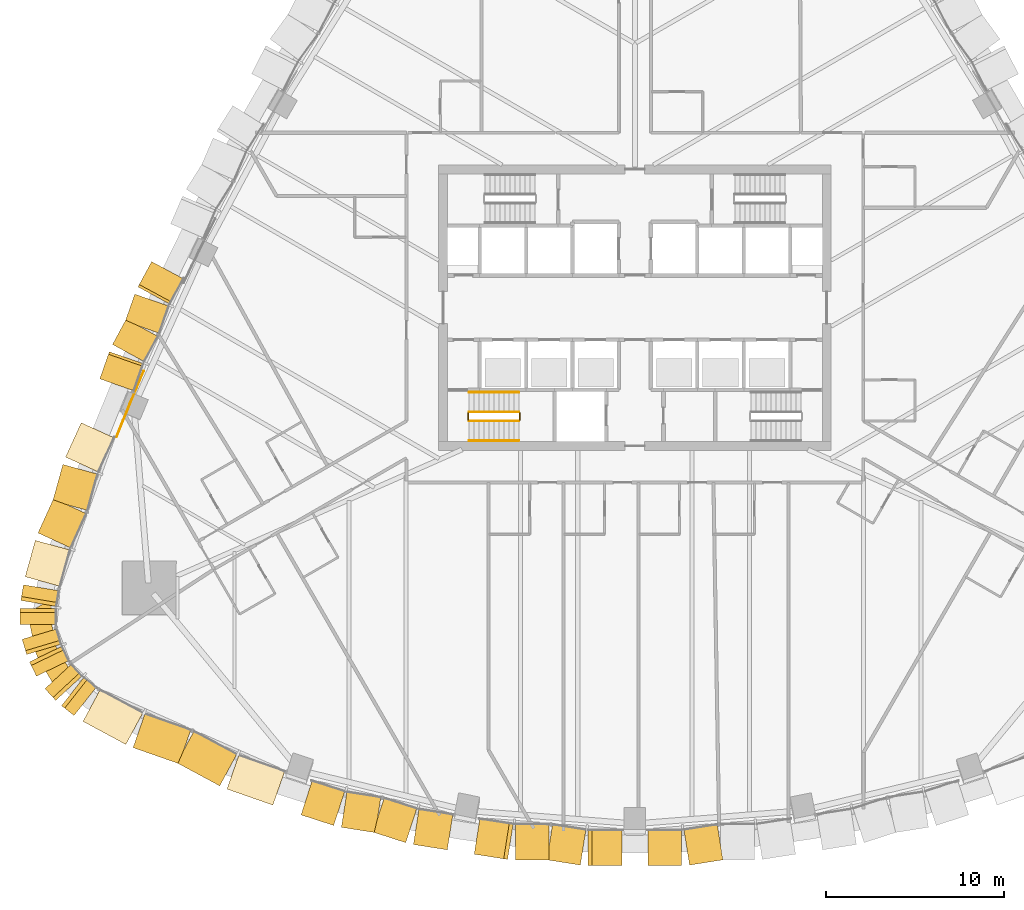
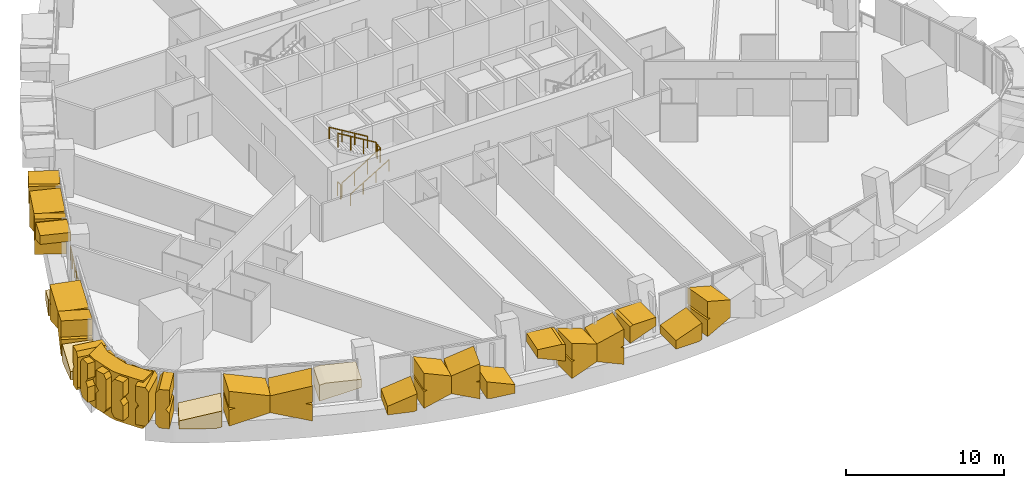
# One storey, part 20 of 27: 29 coverings, 7 railings.
"""IFC4 building model written with IfcOpenShell, lengths in metres."""

from ifc_helpers import new_model, si_unit, direction, frame, origin, origin_2d, place, context, subcontext, project, spatial, polyline, circle, outline, extrude, material, layer, layer_set, type_object, element, save


model = new_model("IFC4")

# Units and contexts
model_context = context("Model", 3, precision=1e-05, world=origin(), true_north=direction((0.0, 1.0)))
body_context = subcontext(model_context, "Body", "Model", "MODEL_VIEW")
ifc_project = project(units=[si_unit("LENGTHUNIT", "METRE"), si_unit("AREAUNIT", "SQUARE_METRE"), si_unit("VOLUMEUNIT", "CUBIC_METRE"), si_unit("PLANEANGLEUNIT", "RADIAN"), si_unit("MASSUNIT", "GRAM", prefix="KILO")], contexts=[model_context])

# Site, building, storey
site_placement = place(None, origin())
site = spatial("IfcSite", under=ifc_project, at=site_placement, CompositionType="ELEMENT")
building_placement = place(site_placement, origin())
building = spatial("IfcBuilding", under=site, at=building_placement, Name="Sierra Prisma Convention Tower", CompositionType="ELEMENT")
storey_placement = place(building_placement, frame((0.0, 0.0, 48.0)))
storey = spatial("IfcBuildingStorey", under=building, at=storey_placement, Name="L07", CompositionType="ELEMENT", Elevation=48.0)

# Coverings
ifc_material_1 = material(Name="Aluminium composite bronze anodised", Category="aluminium")
ifc_layer_1 = layer(ifc_material_1, 1.199951171875)
ifc_layer_set_1 = layer_set([ifc_layer_1], Name="Bronze corner pier")
covering_type_1 = type_object("IfcCoveringType", Name="Bronze corner pier", PredefinedType="CLADDING", material=ifc_layer_set_1)
covering_1_placement = place(storey_placement, frame((0.0, 0.0, -0.60009765625)))
element("IfcCovering", 1, at=covering_1_placement, inside=storey, type_object=covering_type_1, Name="Corner pier SW L07.1", PredefinedType="CLADDING", context=body_context, shape_type="SweptSolid", body=[
    extrude(outline(polyline([(-32.57177734375, -21.116455078125), (-33.453125, -19.648193359375), (-33.600830078125, -19.26708984375), (-33.9384765625, -17.588134765625), (-33.949462890625, -17.1796875), (-33.9306640625, -17.049560546875), (-32.607666015625, -16.28564453125), (-32.761962890625, -17.3515625), (-32.42431640625, -19.030517578125), (-31.54296875, -20.498779296875), (-31.3623046875, -20.647216796875), (-32.439697265625, -21.269287109375), (-32.57177734375, -21.116455078125)])), origin(), (0.0, 0.0, 1.0), 3.7001953125),
])
ifc_material_2 = material(Name="Aluminium 6063-T6 bronze anodised", Category="aluminium")
ifc_layer_2 = layer(ifc_material_2, 2.0)
ifc_layer_set_2 = layer_set([ifc_layer_2], Name="Bronze crystal chevron frame")
covering_type_2 = type_object("IfcCoveringType", Name="Bronze crystal chevron frame", PredefinedType="CLADDING", material=ifc_layer_set_2)
covering_2_placement = place(storey_placement, frame((-28.891845703125, -24.2822265625, 0.0), z_axis=(-0.474001649948, -0.88052395348, -5.6514062e-05), x_axis=(0.85183222821, -0.458572634498, 0.253165941373)))
element("IfcCovering", 2, at=covering_2_placement, inside=storey, type_object=covering_type_2, Name="CW-2 chevron frame S1.1.1", PredefinedType="CLADDING", context=body_context, shape_type="SweptSolid", body=[
    extrude(outline(polyline([(0.0, 0.0), (0.426242809977776, 1.3877787807814457e-17), (0.7402279130480118, 1.1998310943915858), (-2.0755388161892374, 1.2003002717191888), (-2.236487085558311, 0.5852687422318483), (0.0, 0.0)])), origin(), (0.0, 0.0, -1.0), 2.0),
])
covering_3_placement = place(storey_placement, frame((-28.123046875, -24.65673828125, 1.382080078125), z_axis=(-0.33041591782, -0.943835431233, 0.0), x_axis=(0.0, 0.0, -1.0)))
element("IfcCovering", 3, at=covering_3_placement, inside=storey, type_object=covering_type_2, Name="CW-2 chevron frame S1.1.2", PredefinedType="CLADDING", context=body_context, shape_type="SweptSolid", body=[
    extrude(outline(polyline([(0.0, 0.0), (1.240234375, 0.0), (0.52783203125, 2.724296447937119), (-0.743896484375, 2.724296447937119), (-1.4560546875, 0.0), (-0.2158203125, 0.0), (-0.10791015625, 0.412546287832158), (0.0, 0.0)])), origin(), (0.0, 0.0, -1.0), 2.0),
])
covering_4_placement = place(storey_placement, frame((-25.66552734375, -25.5068359375, 0.854248046875), z_axis=(-0.473965988998, -0.880543151284, 0.0), x_axis=(0.851899016533, -0.458547839829, -0.252986055384)))
element("IfcCovering", 4, at=covering_4_placement, inside=storey, type_object=covering_type_2, Name="CW-2 chevron frame S1.2.1", PredefinedType="CLADDING", context=body_context, shape_type="SweptSolid", body=[
    extrude(outline(polyline([(0.0, 0.0), (2.8159747487589155, 0.0), (2.5022127464757906, 1.199889457764725), (2.075761966987648, 1.1999143223431068), (2.447613216944633, 1.4086891193127598), (2.133851214661508, 2.6085785770774845), (-0.3217295806875584, 1.23035909163316), (0.0, 0.0)])), origin(), (0.0, 0.0, -1.0), 2.0),
])
covering_5_placement = place(storey_placement, frame((-22.86083984375, -26.97705078125, 1.6318359375), z_axis=(-0.330442566754, -0.943826101568, 8.674222e-06), x_axis=(0.91311755227, -0.319688883929, 0.253012555476)))
element("IfcCovering", 5, at=covering_5_placement, inside=storey, type_object=covering_type_2, Name="CW-2 chevron frame S1.2.2", PredefinedType="CLADDING", context=body_context, shape_type="SweptSolid", body=[
    extrude(outline(polyline([(0.0, 0.0), (2.8156798083207004, 1.1102230246251565e-16), (2.9765305638037796, 0.6150570407672751), (0.7399978288300308, 1.1999588569047197), (0.3137948686075431, 1.199880862940767), (0.0, 0.0)])), origin(), (0.0, 0.0, -1.0), 2.0),
])
covering_6_placement = place(storey_placement, frame((-17.09716796875, -28.94775390625, 0.0), z_axis=(-0.308019191583, -0.951380143437, -1.7051048e-05), x_axis=(0.893995183296, -0.289446345638, 0.342043016653)))
element("IfcCovering", 6, at=covering_6_placement, inside=storey, type_object=covering_type_2, Name="CW-2 chevron frame S2.1.1", PredefinedType="CLADDING", context=body_context, shape_type="SweptSolid", body=[
    extrude(outline(polyline([(0.0, 0.0), (0.24196860748129134, 1.3877787807814457e-17), (0.6787916104387, 1.2000704462150795), (-1.365864913455702, 1.1999614681322366), (-1.5917502552641114, 0.5793935925803746), (0.0, 0.0)])), origin(), (0.0, 0.0, -1.0), 2.0),
])
covering_7_placement = place(storey_placement, frame((-16.449462890625, -29.120849609375, 1.4072265625), z_axis=(-0.155406541656, -0.987850599438, 0.0), x_axis=(0.0, 0.0, -1.0)))
element("IfcCovering", 7, at=covering_7_placement, inside=storey, type_object=covering_type_2, Name="CW-2 chevron frame S2.1.2", PredefinedType="CLADDING", context=body_context, shape_type="SweptSolid", body=[
    extrude(outline(polyline([(0.0, 0.0), (1.277099609375, 0.0), (0.57763671875, 1.9212921778511454), (-0.7431640625, 1.9212921778511454), (-1.442626953125, 0.0), (-0.16552734375, 0.0), (-0.082763671875, 0.2273819580135048), (0.0, 0.0)])), origin(), (0.0, 0.0, -1.0), 2.0),
])
covering_8_placement = place(storey_placement, frame((-14.67236328125, -29.390625, 0.82958984375), z_axis=(-0.307981777238, -0.951392256059, 0.0), x_axis=(0.894003662015, -0.289404117945, -0.342056587162)))
element("IfcCovering", 8, at=covering_8_placement, inside=storey, type_object=covering_type_2, Name="CW-2 chevron frame S2.2.1", PredefinedType="CLADDING", context=body_context, shape_type="SweptSolid", body=[
    extrude(outline(polyline([(0.0, 0.0), (2.044874786446125, 1.1102230246251565e-16), (1.60803445259763, 1.2000641378646861), (1.3660658467765627, 1.2000606434466845), (1.5514147343125448, 1.3556067655596313), (1.1145744004640497, 2.5556709034243177), (-0.45178860755502953, 1.2411292268873928), (0.0, 0.0)])), origin(), (0.0, 0.0, -1.0), 2.0),
])
covering_9_placement = place(storey_placement, frame((-12.412841796875, -30.08544921875, 0.082763671875), z_axis=(-0.155406541577, -0.987850598934, 3.1941824e-05), x_axis=(0.928269747487, -0.14604446908, -0.342032584635)))
element("IfcCovering", 9, at=covering_9_placement, inside=storey, type_object=covering_type_2, Name="CW-2 chevron frame S2.2.2", PredefinedType="CLADDING", context=body_context, shape_type="SweptSolid", body=[
    extrude(outline(polyline([(0.0, 0.0), (0.24197599167374007, -1.3877787807814457e-17), (1.8337232541107746, 0.5793724927838824), (1.6078448016113254, 1.1999428757293895), (-0.4368096802309128, 1.2000752950787237), (0.0, 0.0)])), origin(), (0.0, 0.0, -1.0), 2.0),
])
covering_10_placement = place(storey_placement, frame((-9.005126953125, -30.62744140625, 2.318115234375), z_axis=(-0.155558960262, -0.98782660905, -1.8318369e-05), x_axis=(0.926606555657, -0.145911845734, -0.34656893151)))
element("IfcCovering", 10, at=covering_10_placement, inside=storey, type_object=covering_type_2, Name="CW-2 chevron frame S3.1.1", PredefinedType="CLADDING", context=body_context, shape_type="SweptSolid", body=[
    extrude(outline(polyline([(0.0, 0.0), (2.0161370654244126, 0.0), (1.5727725143709668, 1.2000118202354346), (1.33827179485673, 1.200041846077712), (-0.2293819270812771, 0.6208458100492869), (0.0, 0.0)])), origin(), (0.0, 0.0, -1.0), 2.0),
])
covering_11_placement = place(storey_placement, frame((-6.69482421875, -30.9560546875, 1.40869140625), z_axis=(0.000902723258, -0.999999592545, 0.0), x_axis=(0.0, 0.0, -1.0)))
element("IfcCovering", 11, at=covering_11_placement, inside=storey, type_object=covering_type_2, Name="CW-2 chevron frame S3.1.2", PredefinedType="CLADDING", context=body_context, shape_type="SweptSolid", body=[
    extrude(outline(polyline([(0.0, 0.0), (1.279296875, 0.0), (0.58056640625, 1.8911140534469042), (-0.7431640625, 1.8911140534469042), (-1.44189453125, 0.0), (-0.16259765625, 0.0), (-0.081298828125, 0.21997083388831845), (0.0, 0.0)])), origin(), (0.0, 0.0, -1.0), 2.0),
])
covering_12_placement = place(storey_placement, frame((-4.927490234375, -30.944580078125, 0.828125), z_axis=(-0.155559761455, -0.987826483051, 0.0), x_axis=(0.926605449718, -0.14591886854, -0.346568931608)))
element("IfcCovering", 12, at=covering_12_placement, inside=storey, type_object=covering_type_2, Name="CW-2 chevron frame S3.2.1", PredefinedType="CLADDING", context=body_context, shape_type="SweptSolid", body=[
    extrude(outline(polyline([(0.0, 0.0), (2.016137065453871, 1.1102230246251565e-16), (1.572772514275437, 1.200011820418079), (1.3380455729863059, 1.1999582641017374), (1.5164212182668804, 1.3525324067536593), (1.0730566670884465, 2.552544227171738), (-0.45876385429188327, 1.2416916202875619), (0.0, 0.0)])), origin(), (0.0, 0.0, -1.0), 2.0),
])
covering_13_placement = place(storey_placement, frame((-2.617431640625, -31.273193359375, 1.619384765625), z_axis=(0.000902610891, -0.999999592395, 2.2434158e-05), x_axis=(0.938034376338, 0.000854454752, 0.346541164532)))
element("IfcCovering", 13, at=covering_13_placement, inside=storey, type_object=covering_type_2, Name="CW-2 chevron frame S3.2.2", PredefinedType="CLADDING", context=body_context, shape_type="SweptSolid", body=[
    extrude(outline(polyline([(0.0, 0.0), (2.016298610245261, 0.0), (2.2456621593290174, 0.620852599741277), (0.6780717216430832, 1.1999725182112322), (0.443329028845033, 1.200024943800919), (0.0, 0.0)])), origin(), (0.0, 0.0, -1.0), 2.0),
])
covering_14_placement = place(storey_placement, frame((2.397216796875, -31.27294921875, 0.0), z_axis=(-0.000902610891, -0.999999592395, -2.2434158e-05), x_axis=(0.938111746698, -0.000854519887, 0.346331662577)))
element("IfcCovering", 14, at=covering_14_placement, inside=storey, type_object=covering_type_2, Name="CW-2 chevron frame S4.1.1", PredefinedType="CLADDING", context=body_context, shape_type="SweptSolid", body=[
    extrude(outline(polyline([(0.0, 0.0), (0.23474269865220984, 1.3877787807814457e-17), (0.6778037123001868, 1.2001239234955303), (-1.3384948476613627, 1.199673619208181), (-1.5677197346841998, 0.5787698106974208), (0.0, 0.0)])), origin(), (0.0, 0.0, -1.0), 2.0),
])
covering_15_placement = place(storey_placement, frame((3.059326171875, -31.23876953125, 1.40869140625), z_axis=(0.155559761455, -0.987826483051, 0.0), x_axis=(0.0, 0.0, -1.0)))
element("IfcCovering", 15, at=covering_15_placement, inside=storey, type_object=covering_type_2, Name="CW-2 chevron frame S4.1.2", PredefinedType="CLADDING", context=body_context, shape_type="SweptSolid", body=[
    extrude(outline(polyline([(0.0, 0.0), (1.279296875, 0.0), (0.58056640625, 1.8911859767715473), (-0.7431640625, 1.8911859767715473), (-1.44189453125, 0.0), (-0.16259765625, 0.0), (-0.081298828125, 0.22019818432660165), (0.0, 0.0)])), origin(), (0.0, 0.0, -1.0), 2.0),
])
covering_16_placement = place(storey_placement, frame((-27.0830078125, 2.578857421875, 2.30126953125), z_axis=(-0.879938707245, 0.475087222571, -4.9416187e-05), x_axis=(-0.436497458939, -0.808505251512, -0.394701439846)))
element("IfcCovering", 16, at=covering_16_placement, inside=storey, type_object=covering_type_2, Name="CW-2 chevron frame NW5.1.1", PredefinedType="CLADDING", context=body_context, shape_type="SweptSolid", body=[
    extrude(outline(polyline([(0.0, 0.0), (1.751719600357625, 0.0), (1.2361793896211237, 1.2001050920779046), (1.0738327427349694, 1.1999814465434393), (-0.2678881842705557, 0.6236060104629112), (0.0, 0.0)])), origin(), (0.0, 0.0, -1.0), 2.0),
])
covering_17_placement = place(storey_placement, frame((-28.02685546875, 0.757080078125, 1.426025390625), z_axis=(-0.943432251169, 0.33156535925, 0.0), x_axis=(0.0, 0.0, -1.0)))
element("IfcCovering", 17, at=covering_17_placement, inside=storey, type_object=covering_type_2, Name="CW-2 chevron frame NW5.1.2", PredefinedType="CLADDING", context=body_context, shape_type="SweptSolid", body=[
    extrude(outline(polyline([(0.0, 0.0), (1.30615234375, 0.0), (0.61474609375, 1.6096070501929687), (-0.74267578125, 1.6096070501929687), (-1.43408203125, 0.0), (-0.128173828125, 0.0), (-0.06396484375, 0.149333050989293), (0.0, 0.0)])), origin(), (0.0, 0.0, -1.0), 2.0),
])
covering_18_placement = place(storey_placement, frame((-28.51025390625, -0.64794921875, 0.811279296875), z_axis=(-0.879938706534, 0.475087226458, 0.0), x_axis=(-0.436514624798, -0.808495983341, -0.39470144066)))
element("IfcCovering", 18, at=covering_18_placement, inside=storey, type_object=covering_type_2, Name="CW-2 chevron frame NW5.2.1", PredefinedType="CLADDING", context=body_context, shape_type="SweptSolid", body=[
    extrude(outline(polyline([(0.0, 0.0), (1.7517196006291658, -1.1102230246251565e-16), (1.236179388830121, 1.2001050933571666), (1.0738327438882878, 1.1999814432390785), (1.1855889942143267, 1.3178724156024961), (0.670145145071693, 2.5177531902506245), (-0.5357763696453625, 1.2472120222552987), (0.0, 0.0)])), origin(), (0.0, 0.0, -1.0), 2.0),
])
covering_19_placement = place(storey_placement, frame((-29.4541015625, -2.4697265625, 1.60986328125), z_axis=(-0.94343225028, 0.331565360892, -2.4253285e-05), x_axis=(-0.304657671699, -0.866840552195, 0.394678552933)))
element("IfcCovering", 19, at=covering_19_placement, inside=storey, type_object=covering_type_2, Name="CW-2 chevron frame NW5.2.2", PredefinedType="CLADDING", context=body_context, shape_type="SweptSolid", body=[
    extrude(outline(polyline([(0.0, 0.0), (1.751821183323462, -1.1102230246251565e-16), (2.019693833995547, 0.6236126838295357), (0.6779659533763891, 1.1999515139626957), (0.515510316940883, 1.2001179347079194), (0.0, 0.0)])), origin(), (0.0, 0.0, -1.0), 2.0),
])
covering_20_placement = place(storey_placement, frame((-31.791748046875, -8.124755859375, 0.0), z_axis=(-0.910081645376, 0.414429001577, -3.7439052e-05), x_axis=(-0.393191075086, -0.863414830836, 0.316094302962)))
element("IfcCovering", 20, at=covering_20_placement, inside=storey, type_object=covering_type_2, Name="CW-2 chevron frame NW6.1.1", PredefinedType="CLADDING", context=body_context, shape_type="SweptSolid", body=[
    extrude(outline(polyline([(0.0, 0.0), (0.28732031655178986, 0.0), (0.6871456543564488, 1.2000387207096581), (-1.537146136939478, 1.1997402405560758), (-1.743348279887567, 0.5808436063664971), (0.0, 0.0)])), origin(), (0.0, 0.0, -1.0), 2.0),
])
covering_21_placement = place(storey_placement, frame((-32.056396484375, -8.78955078125, 1.399169921875), z_axis=(-0.963714864515, 0.266933811858, 0.0), x_axis=(0.0, 0.0, -1.0)))
element("IfcCovering", 21, at=covering_21_placement, inside=storey, type_object=covering_type_2, Name="CW-2 chevron frame NW6.1.2", PredefinedType="CLADDING", context=body_context, shape_type="SweptSolid", body=[
    extrude(outline(polyline([(0.0, 0.0), (1.264892578125, 0.0), (0.5615234375, 2.1100091334230826), (-0.7431640625, 2.1100091334230826), (-1.446533203125, 0.0), (-0.181640625, 0.0), (-0.0908203125, 0.2725838550175069), (0.0, 0.0)])), origin(), (0.0, 0.0, -1.0), 2.0),
])
covering_22_placement = place(storey_placement, frame((-32.5771484375, -10.706298828125, 0.837646484375), z_axis=(-0.910103568388, 0.414380857191, 0.0), x_axis=(-0.393111023165, -0.863388688802, -0.316265229698)))
element("IfcCovering", 22, at=covering_22_placement, inside=storey, type_object=covering_type_2, Name="CW-2 chevron frame NW6.2.1", PredefinedType="CLADDING", context=body_context, shape_type="SweptSolid", body=[
    extrude(outline(polyline([(0.0, 0.0), (2.2239850434904747, -2.220446049250313e-16), (1.8239435017261527, 1.199966665811402), (1.5367191692134259, 1.199946893940189), (1.766496887737993, 1.3722838245382278), (1.3664553459736712, 2.57225049034963), (-0.41262729187194286, 1.2377189465539729), (0.0, 0.0)])), origin(), (0.0, 0.0, -1.0), 2.0),
])
covering_23_placement = place(storey_placement, frame((-33.60302734375, -13.043212890625, 0.0908203125), z_axis=(-0.963714864507, 0.266933811856, -4.103579e-06), x_axis=(-0.253245816385, -0.914301762922, -0.316099419173)))
element("IfcCovering", 23, at=covering_23_placement, inside=storey, type_object=covering_type_2, Name="CW-2 chevron frame NW6.2.2", PredefinedType="CLADDING", context=body_context, shape_type="SweptSolid", body=[
    extrude(outline(polyline([(0.0, 0.0), (0.28731565774389345, 0.0), (2.0305289222918494, 0.5808090633141536), (1.8243234418154133, 1.199704585982058), (-0.39983180926213163, 1.20003656547246), (0.0, 0.0)])), origin(), (0.0, 0.0, -1.0), 2.0),
])
covering_24_placement = place(storey_placement, frame((-34.267578125, -15.533935546875, 0.0), z_axis=(-0.986371096544, 0.164535892442, 0.0), x_axis=(-0.164535892442, -0.986371096544, 0.0)))
element("IfcCovering", 24, at=covering_24_placement, inside=storey, type_object=covering_type_2, Name="CW-2 chevron frame SW1.1.1", PredefinedType="CLADDING", context=body_context, shape_type="SweptSolid", body=[
    extrude(outline(polyline([(0.0, 0.0), (0.6657837718551284, 0.0), (0.8888221697421639, 0.327880859375), (0.8888221697421639, 2.652099609375), (0.6657837718551284, 2.97998046875), (0.0, 2.97998046875), (0.0, 1.825439453125), (0.22817581605410533, 1.489990234375), (0.0, 1.15478515625), (0.0, 0.0)])), origin(), (0.0, 0.0, -1.0), 2.0),
])
covering_25_placement = place(storey_placement, frame((-34.4521484375, -16.8525390625, 0.327880859375), z_axis=(-0.999966260474, 0.008214494098, 0.0), x_axis=(-0.004621840415, -0.562625576404, -0.826698916999)))
element("IfcCovering", 25, at=covering_25_placement, inside=storey, type_object=covering_type_2, Name="CW-2 chevron frame SW1.1.2", PredefinedType="CLADDING", context=body_context, shape_type="SweptSolid", body=[
    extrude(outline(polyline([(0.0, 0.0), (0.39661459889799133, -2.7755575615628914e-17), (0.7712194883858517, 0.5504104697499131), (-0.18344014965265398, 1.2001440556107072), (-0.5889942272162831, 1.2000266838521552), (-0.737869330560006, 1.5774840472300733), (-1.6923271378082285, 2.2270802686963935), (-2.066932027296089, 1.6766697989464805), (-1.9214291234939904, 1.3077090353900125), (0.0, 0.0)])), origin(), (0.0, 0.0, -1.0), 2.0),
])
covering_26_placement = place(storey_placement, frame((-34.339599609375, -18.584228515625, 0.0), z_axis=(-0.957926827618, -0.287012530964, 0.0), x_axis=(0.287012530964, -0.957926827618, 0.0)))
element("IfcCovering", 26, at=covering_26_placement, inside=storey, type_object=covering_type_2, Name="CW-2 chevron frame SW2.1.1", PredefinedType="CLADDING", context=body_context, shape_type="SweptSolid", body=[
    extrude(outline(polyline([(0.0, 0.0), (0.6657313685259146, 0.0), (0.8889591966767059, 0.327880859375), (0.8889591966767059, 2.652099609375), (0.6657313685259146, 2.97998046875), (0.0, 2.97998046875), (0.0, 1.825439453125), (0.22809176489652344, 1.489990234375), (0.0, 1.15478515625), (0.0, 0.0)])), origin(), (0.0, 0.0, -1.0), 2.0),
])
covering_27_placement = place(storey_placement, frame((-33.92431640625, -19.849365234375, 0.327880859375), z_axis=(-0.901292091871, -0.433211917116, 0.0), x_axis=(0.243613138547, -0.506834153385, -0.826904939935)))
element("IfcCovering", 27, at=covering_27_placement, inside=storey, type_object=covering_type_2, Name="CW-2 chevron frame SW2.1.2", PredefinedType="CLADDING", context=body_context, shape_type="SweptSolid", body=[
    extrude(outline(polyline([(0.0, 0.0), (0.39651578257663334, -2.7755575615628914e-17), (0.7709067654000136, 0.5505295750470242), (-0.18399078486727416, 1.1999134565754077), (-0.5893898443532721, 1.1998753893147724), (-0.7385581359421661, 1.57705035352223), (-1.6932538051206025, 2.2262969445894023), (-2.0676447879439825, 1.675767369542378), (-1.9219079658656615, 1.3070051907294316), (0.0, 0.0)])), origin(), (0.0, 0.0, -1.0), 2.0),
])
covering_28_placement = place(storey_placement, frame((-33.06005859375, -21.35400390625, 0.0), z_axis=(-0.733644064481, -0.679533948123, 0.0), x_axis=(0.679533948123, -0.733644064481, 0.0)))
element("IfcCovering", 28, at=covering_28_placement, inside=storey, type_object=covering_type_2, Name="CW-2 chevron frame SW3.1.1", PredefinedType="CLADDING", context=body_context, shape_type="SweptSolid", body=[
    extrude(outline(polyline([(0.0, 0.0), (0.6658198678951726, 0.0), (0.8888501669641982, 0.327880859375), (0.8888501669641982, 2.652099609375), (0.6658198678951726, 2.97998046875), (0.0, 2.97998046875), (0.0, 1.825439453125), (0.22821872199515353, 1.489990234375), (0.0, 1.15478515625), (0.0, 0.0)])), origin(), (0.0, 0.0, -1.0), 2.0),
])
covering_29_placement = place(storey_placement, frame((-32.130126953125, -22.306884765625, 0.327880859375), z_axis=(-0.61804576093, -0.7861421229, 0.0), x_axis=(0.442449913413, -0.347843329397, -0.826585199671)))
element("IfcCovering", 29, at=covering_29_placement, inside=storey, type_object=covering_type_2, Name="CW-2 chevron frame SW3.1.2", PredefinedType="CLADDING", context=body_context, shape_type="SweptSolid", body=[
    extrude(outline(polyline([(0.0, 0.0), (0.39666916308866085, 0.0), (0.7712507486543219, 0.5501371853779536), (-0.18327757030178116, 1.2000636776877942), (-0.5886401964383141, 1.200309463059718), (-0.7376304861944692, 1.5775157018685833), (-1.6919570021233086, 2.2273047890003452), (-2.0665385876889695, 1.6771676036223917), (-1.9211648195480127, 1.3080972953043724), (0.0, 0.0)])), origin(), (0.0, 0.0, -1.0), 2.0),
])

# Railings
ifc_material_3 = material(Name="Stainless steel", Category="steel")
railing_type_1 = type_object("IfcRailingType", Name="Exit stair handrail", PredefinedType="HANDRAIL", material=ifc_material_3)
railing_1_placement = place(storey_placement, frame((-9.300048828125, -7.449951171875, 0.168212890625)))
element("IfcRailing", 30, at=railing_1_placement, inside=storey, type_object=railing_type_1, Name="L07 S1 stair handrail 1", PredefinedType="HANDRAIL", context=body_context, shape_type="SweptSolid", body=[
    extrude(circle(Radius=0.02392578125, at=origin_2d()), frame((0.0, 0.0, 0.8759765625), z_axis=(0.857242210791, 0.0, 0.514913383045), x_axis=(0.0, 1.0, 0.0)), (0.0, 0.0, 1.0), 3.266357421875),
    extrude(circle(Radius=0.02099609375, at=origin_2d()), origin(), (0.0, 0.0, 1.0), 0.851806640625),
    extrude(circle(Radius=0.02099609375, at=origin_2d()), frame((0.933349609375, 0.0, 0.560546875)), (0.0, 0.0, 1.0), 0.851806640625),
    extrude(circle(Radius=0.02099609375, at=origin_2d()), frame((1.86669921875, 0.0, 1.121337890625)), (0.0, 0.0, 1.0), 0.851806640625),
    extrude(circle(Radius=0.02099609375, at=origin_2d()), frame((2.800048828125, 0.0, 1.681884765625)), (0.0, 0.0, 1.0), 0.851806640625),
])
railing_2_placement = place(storey_placement, frame((-6.5, -4.75, 2.01806640625)))
element("IfcRailing", 31, at=railing_2_placement, inside=storey, type_object=railing_type_1, Name="L07 S1 stair handrail 2", PredefinedType="HANDRAIL", context=body_context, shape_type="SweptSolid", body=[
    extrude(circle(Radius=0.02392578125, at=origin_2d()), frame((0.0, 0.0, 0.8759765625), z_axis=(-0.857242210791, 0.0, 0.514913383045), x_axis=(0.0, -1.0, 0.0)), (0.0, 0.0, 1.0), 3.266357421875),
    extrude(circle(Radius=0.02099609375, at=origin_2d()), origin(), (0.0, 0.0, 1.0), 0.851806640625),
    extrude(circle(Radius=0.02099609375, at=origin_2d()), frame((-0.933349609375, 0.0, 0.560546875)), (0.0, 0.0, 1.0), 0.851806640625),
    extrude(circle(Radius=0.02099609375, at=origin_2d()), frame((-1.86669921875, 0.0, 1.121337890625)), (0.0, 0.0, 1.0), 0.851806640625),
    extrude(circle(Radius=0.02099609375, at=origin_2d()), frame((-2.800048828125, 0.0, 1.681884765625)), (0.0, 0.0, 1.0), 0.851806640625),
])
ifc_material_4 = material(Name="Bronze anodised aluminium", Category="aluminium")
railing_type_2 = type_object("IfcRailingType", Name="Facade guard 1100", PredefinedType="GUARDRAIL", material=ifc_material_4)
railing_3_placement = place(storey_placement, frame((-27.531005859375, -3.568115234375, 0.0)))
element("IfcRailing", 32, at=railing_3_placement, inside=storey, type_object=railing_type_2, Name="Facade guard", PredefinedType="GUARDRAIL", context=body_context, shape_type="SweptSolid", body=[
    extrude(circle(Radius=0.02392578125, at=origin_2d()), frame((0.0, 0.0, 1.076171875), z_axis=(-0.392091666652, -0.919926151896, 0.0), x_axis=(0.919926151896, -0.392091666652, 0.0)), (0.0, 0.0, 1.0), 1.0),
    extrude(circle(Radius=0.02392578125, at=origin_2d()), frame((-0.39208984375, -0.919921875, 1.076171875), z_axis=(-0.38459795715, -0.923084184328, 0.0), x_axis=(0.923084184328, -0.38459795715, 0.0)), (0.0, 0.0, 1.0), 0.99462890625),
    extrude(circle(Radius=0.02392578125, at=origin_2d()), frame((-0.774658203125, -1.838134765625, 1.076171875), z_axis=(-0.379668884166, -0.925122445083, 0.0), x_axis=(0.925122445083, -0.379668884166, 0.0)), (0.0, 0.0, 1.0), 1.0),
    extrude(circle(Radius=0.02392578125, at=origin_2d()), frame((-1.154296875, -2.76318359375, 1.076171875), z_axis=(-0.371433002586, -0.928459759273, 0.0), x_axis=(0.928459759273, -0.371433002586, 0.0)), (0.0, 0.0, 1.0), 0.994384765625),
    extrude(circle(Radius=0.02099609375, at=origin_2d()), origin(), (0.0, 0.0, 1.0), 1.052001953125),
    extrude(circle(Radius=0.02099609375, at=origin_2d()), frame((-0.39208984375, -0.919921875, 0.0)), (0.0, 0.0, 1.0), 1.052001953125),
    extrude(circle(Radius=0.02099609375, at=origin_2d()), frame((-0.774658203125, -1.838134765625, 0.0)), (0.0, 0.0, 1.0), 1.052001953125),
    extrude(circle(Radius=0.02099609375, at=origin_2d()), frame((-1.154296875, -2.76318359375, 0.0)), (0.0, 0.0, 1.0), 1.052001953125),
    extrude(circle(Radius=0.02099609375, at=origin_2d()), frame((-1.523681640625, -3.6865234375, 0.0)), (0.0, 0.0, 1.0), 1.052001953125),
])
ifc_material_5 = material(Name="Stainless steel", Category="steel")
railing_type_3 = type_object("IfcRailingType", Name="Stair guard 1100", PredefinedType="GUARDRAIL", material=ifc_material_5)
railing_4_placement = place(storey_placement, frame((-9.300048828125, -6.35009765625, 0.168212890625)))
element("IfcRailing", 33, at=railing_4_placement, inside=storey, type_object=railing_type_3, Name="L07 S1 stair guard 1", PredefinedType="GUARDRAIL", context=body_context, shape_type="SweptSolid", body=[
    extrude(circle(Radius=0.02392578125, at=origin_2d()), frame((0.0, 0.0, 1.076171875), z_axis=(0.857242210791, 0.0, 0.514913383045), x_axis=(0.0, 1.0, 0.0)), (0.0, 0.0, 1.0), 3.266357421875),
    extrude(circle(Radius=0.02099609375, at=origin_2d()), origin(), (0.0, 0.0, 1.0), 1.052001953125),
    extrude(circle(Radius=0.02099609375, at=origin_2d()), frame((0.933349609375, 0.0, 0.560546875)), (0.0, 0.0, 1.0), 1.052001953125),
    extrude(circle(Radius=0.02099609375, at=origin_2d()), frame((1.86669921875, 0.0, 1.121337890625)), (0.0, 0.0, 1.0), 1.052001953125),
    extrude(circle(Radius=0.02099609375, at=origin_2d()), frame((2.800048828125, 0.0, 1.681884765625)), (0.0, 0.0, 1.0), 1.052001953125),
])
railing_5_placement = place(storey_placement, frame((-6.449951171875, -6.300048828125, 1.85009765625)))
element("IfcRailing", 34, at=railing_5_placement, inside=storey, type_object=railing_type_3, Name="L07 S1 stair guard 2", PredefinedType="GUARDRAIL", context=body_context, shape_type="SweptSolid", body=[
    extrude(circle(Radius=0.02392578125, at=origin_2d()), frame((0.0, 0.0, 1.076171875), z_axis=(0.0, 1.0, 0.0), x_axis=(-1.0, 0.0, 0.0)), (0.0, 0.0, 1.0), 0.400146484375),
    extrude(circle(Radius=0.02099609375, at=origin_2d()), origin(), (0.0, 0.0, 1.0), 1.052001953125),
    extrude(circle(Radius=0.02099609375, at=origin_2d()), frame((0.0, 0.400146484375, 0.0)), (0.0, 0.0, 1.0), 1.052001953125),
])
railing_6_placement = place(storey_placement, frame((-6.5, -5.85009765625, 2.01806640625)))
element("IfcRailing", 35, at=railing_6_placement, inside=storey, type_object=railing_type_3, Name="L07 S1 stair guard 3", PredefinedType="GUARDRAIL", context=body_context, shape_type="SweptSolid", body=[
    extrude(circle(Radius=0.02392578125, at=origin_2d()), frame((0.0, 0.0, 1.076171875), z_axis=(-0.857242210791, 0.0, 0.514913383045), x_axis=(0.0, -1.0, 0.0)), (0.0, 0.0, 1.0), 3.266357421875),
    extrude(circle(Radius=0.02099609375, at=origin_2d()), origin(), (0.0, 0.0, 1.0), 1.052001953125),
    extrude(circle(Radius=0.02099609375, at=origin_2d()), frame((-0.933349609375, 0.0, 0.560546875)), (0.0, 0.0, 1.0), 1.052001953125),
    extrude(circle(Radius=0.02099609375, at=origin_2d()), frame((-1.86669921875, 0.0, 1.121337890625)), (0.0, 0.0, 1.0), 1.052001953125),
    extrude(circle(Radius=0.02099609375, at=origin_2d()), frame((-2.800048828125, 0.0, 1.681884765625)), (0.0, 0.0, 1.0), 1.052001953125),
])
railing_7_placement = place(storey_placement, frame((-9.35009765625, -6.300048828125, 0.0)))
element("IfcRailing", 36, at=railing_7_placement, inside=storey, type_object=railing_type_3, Name="L07 S1 stair guard 4", PredefinedType="GUARDRAIL", context=body_context, shape_type="SweptSolid", body=[
    extrude(circle(Radius=0.02392578125, at=origin_2d()), frame((0.0, 0.0, 1.076171875), z_axis=(0.0, 1.0, 0.0), x_axis=(-1.0, 0.0, 0.0)), (0.0, 0.0, 1.0), 0.400146484375),
    extrude(circle(Radius=0.02099609375, at=origin_2d()), origin(), (0.0, 0.0, 1.0), 1.052001953125),
    extrude(circle(Radius=0.02099609375, at=origin_2d()), frame((0.0, 0.400146484375, 0.0)), (0.0, 0.0, 1.0), 1.052001953125),
])

save(model, "model.ifc")
